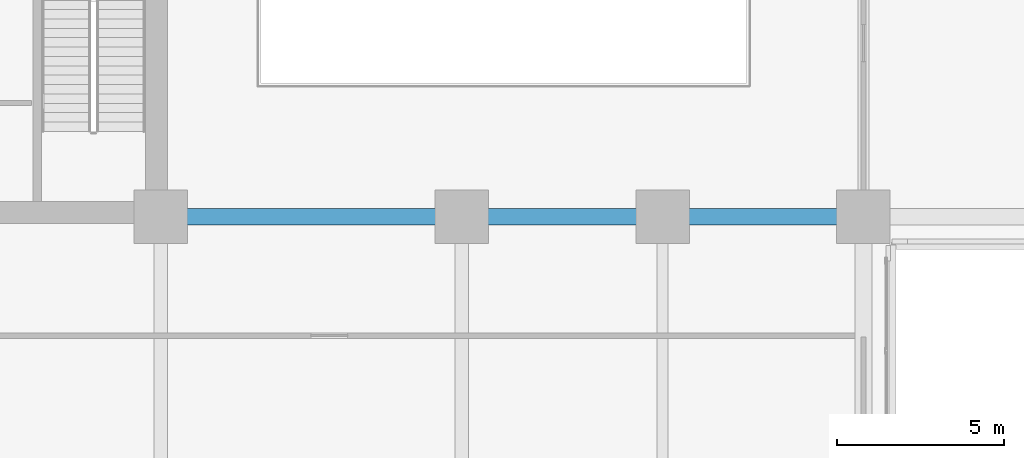
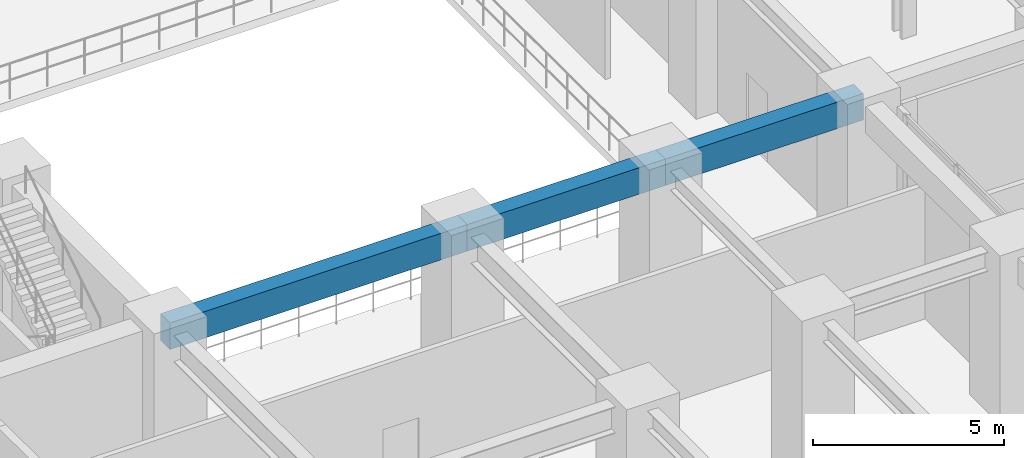
# One storey, part 12 of 33: 3 beams.
"""IFC4 building model written with IfcOpenShell, lengths in metres."""

from ifc_helpers import new_model, si_unit, direction, frame, origin, origin_2d, place, context, subcontext, project, spatial, rectangle, extrude, source, transform, mapped, material, material_profile, profile_set, type_object, element, save


model = new_model("IFC4")

# Units and contexts
model_context = context("Model", 3, precision=1e-05, world=origin(), true_north=direction((0.0, 1.0)))
body_context = subcontext(model_context, "Body", "Model", "MODEL_VIEW")
ifc_project = project(units=[si_unit("LENGTHUNIT", "METRE"), si_unit("AREAUNIT", "SQUARE_METRE"), si_unit("VOLUMEUNIT", "CUBIC_METRE"), si_unit("PLANEANGLEUNIT", "RADIAN"), si_unit("MASSUNIT", "GRAM", prefix="KILO")], contexts=[model_context])

# Site, building, storey
site_placement = place(None, origin())
site = spatial("IfcSite", under=ifc_project, at=site_placement, CompositionType="ELEMENT")
building_placement = place(site_placement, origin())
building = spatial("IfcBuilding", under=site, at=building_placement, Name="Torre Montelarca", CompositionType="ELEMENT")
storey_placement = place(building_placement, frame((0.0, 0.0, 12.0)))
storey = spatial("IfcBuildingStorey", under=building, at=storey_placement, Name="L03", CompositionType="ELEMENT", Elevation=12.0)

# Beams
ifc_material = material(Name="Concrete C55/67", Category="concrete")
ifc_material_profile = material_profile(ifc_material, rectangle(XDim=0.5, YDim=0.85009765625, at=origin_2d()), Name="RCB500X850", Category="concrete")
ifc_profile_set = profile_set([ifc_material_profile], Name="Concrete C55/67")
beam_type = type_object("IfcBeamType", Name="BM-SP-RC850-EXT", PredefinedType="SPANDREL", material=ifc_profile_set)
shared_shape_1 = source(origin(), body_context, "Body", "SweptSolid", [
    extrude(rectangle(XDim=0.5, YDim=0.85009765625, at=origin_2d()), origin(), (0.0, 0.0, 1.0), 9.0),
])
beam_placement = place(storey_placement, frame((27.0, 24.0, 4.715087890625), z_axis=(1.0, 0.0, 0.0), x_axis=(0.0, 1.0, 0.0)))
element("IfcBeam", 1, at=beam_placement, inside=storey, type_object=beam_type, Name="L03 Grid Girder X 27.0-36.0 at Y=24.0", PredefinedType="SPANDREL", context=body_context, shape_type="MappedRepresentation", body=[
    mapped(shared_shape_1, transform((0.0, 0.0, 0.0), scale=1.0)),
])
shared_shape_2 = source(origin(), body_context, "Body", "SweptSolid", [
    extrude(rectangle(XDim=0.5, YDim=0.85009765625, at=origin_2d()), origin(), (0.0, 0.0, 1.0), 6.0),
])
for number, where, z_axis, x_axis, name in (
    (2, (36.0, 24.0, 4.715087890625), (1.0, 0.0, 0.0), (0.0, 1.0, 0.0), "L03 Grid Girder X 36.0-42.0 at Y=24.0"),
    (3, (42.0, 24.0, 4.715087890625), (1.0, 0.0, 0.0), (0.0, 1.0, 0.0), "L03 Grid Girder X 42.0-48.0 at Y=24.0"),
):
    element("IfcBeam", number, at=place(storey_placement, frame(where, z_axis=z_axis, x_axis=x_axis)), inside=storey, type_object=beam_type, Name=name, PredefinedType="SPANDREL", context=body_context, shape_type="MappedRepresentation", body=[
        mapped(shared_shape_2, transform((0.0, 0.0, 0.0), scale=1.0)),
    ])

save(model, "model.ifc")
